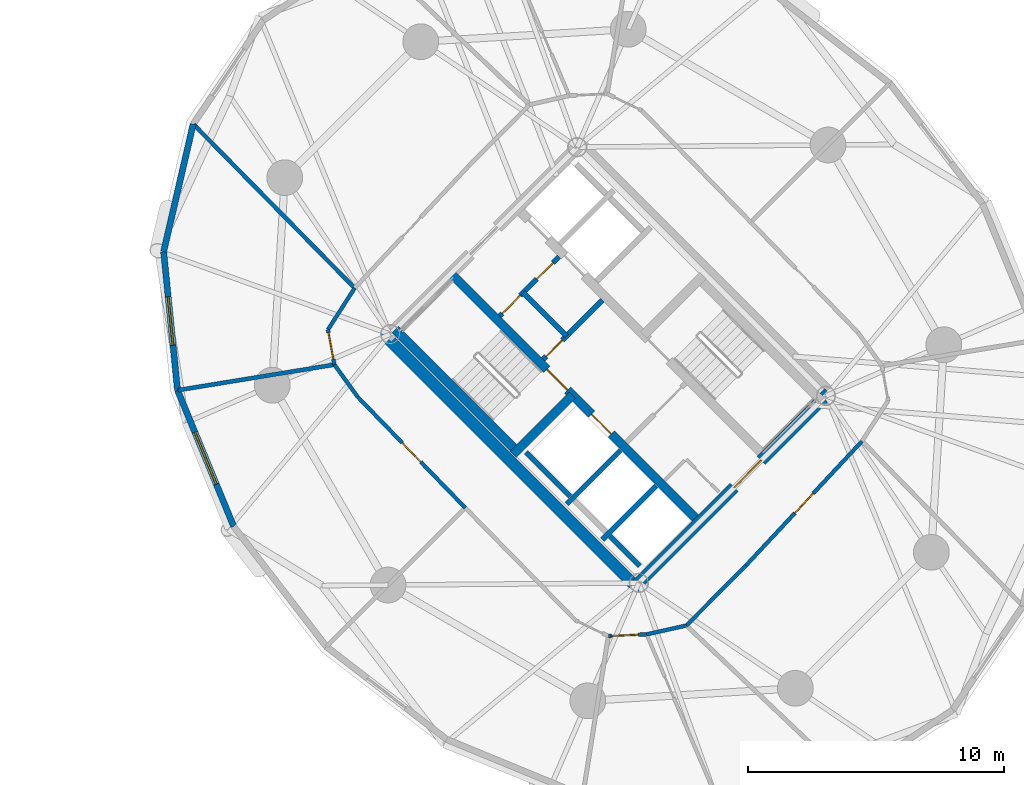
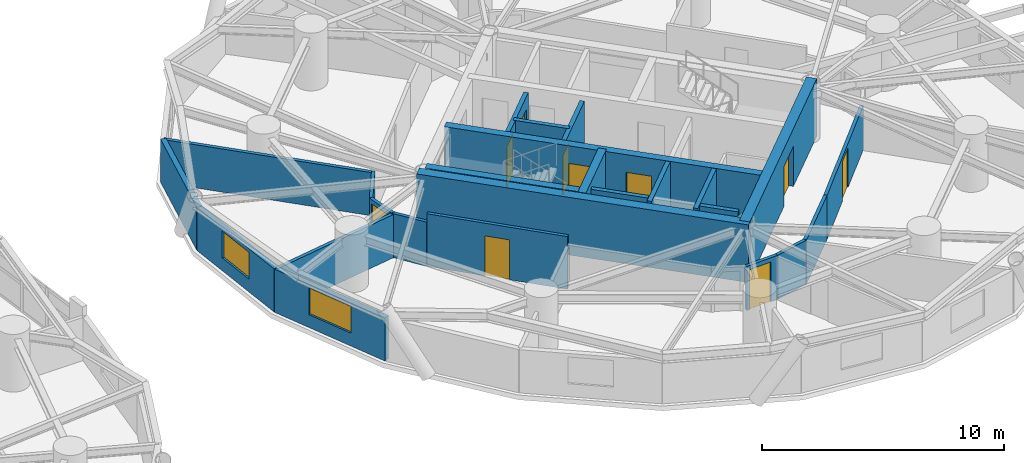
# One storey, part 12 of 17: 25 walls, 10 doors, 2 windows, 12 openings.
"""IFC4 building model written with IfcOpenShell, lengths in metres."""

import ifcopenshell
import ifcopenshell.guid

model = None  # the IFC model being written
_history = None  # IfcOwnerHistory: only IFC2X3 demands one
_inside = {}  # id of a spatial element -> (the spatial element, [elements in it])
_under = {}  # id of a project, library or spatial element -> (it, [spatial elements below it])
_declared = {}  # id of a project -> (the project, [libraries it declares])
_typed = {}  # id of a type object -> (the type object, [elements of that type])
_made_of = {}  # id of a material, layer set ... -> (it, [elements and type objects made of it])


def new_model(schema):
    """Start an empty IFC model of exactly this schema.

    Asked for "IFC4X3", IfcOpenShell would pick the latest addendum, in which some entities
    have other attributes; the version numbers below select the first issue.
    IFC2X3 requires an IfcOwnerHistory on every rooted entity: one is made here for all.
    """
    global model, _history
    if schema == "IFC4X3":
        model = ifcopenshell.file(schema_version=(4, 3, 0, 0))
    else:
        model = ifcopenshell.file(schema=schema)
    _inside.clear()
    _under.clear()
    _declared.clear()
    _typed.clear()
    _made_of.clear()
    _history = None
    if model.schema == "IFC2X3":
        org = make("IfcOrganization", Name="unknown")
        user = make(
            "IfcPersonAndOrganization",
            ThePerson=make("IfcPerson", FamilyName="unknown"),
            TheOrganization=org,
        )
        app = make(
            "IfcApplication",
            ApplicationDeveloper=org,
            Version="unknown",
            ApplicationFullName="unknown",
            ApplicationIdentifier="unknown",
        )
        _history = make(
            "IfcOwnerHistory",
            OwningUser=user,
            OwningApplication=app,
            ChangeAction="ADDED",
            CreationDate=0,
        )
    return model


def make(cls, **values):
    """One entity of the class cls with the attributes given. An attribute that is None is left unset."""
    return model.create_entity(
        cls, **{name: value for name, value in values.items() if value is not None}
    )


def rooted(cls, **values):
    """An entity with a GlobalId (a new one), such as an element, a storey or a relation."""
    return make(cls, GlobalId=ifcopenshell.guid.new(), OwnerHistory=_history, **values)


def si_unit(unit_type, name, prefix=None):
    """IfcSIUnit, for example si_unit("LENGTHUNIT", "METRE", prefix="MILLI")."""
    return make("IfcSIUnit", UnitType=unit_type, Prefix=prefix, Name=name)


def assignment(units):
    """IfcUnitAssignment: the units of a project."""
    return None if units is None else make("IfcUnitAssignment", Units=units)


def point(xyz):
    """IfcCartesianPoint."""
    return None if xyz is None else make("IfcCartesianPoint", Coordinates=xyz)


def direction(xyz):
    """IfcDirection."""
    return None if xyz is None else make("IfcDirection", DirectionRatios=xyz)


def frame(location, z_axis=None, x_axis=None):
    """IfcAxis2Placement3D, a coordinate frame: its origin and axes. An axis left out is left unset."""
    return make(
        "IfcAxis2Placement3D",
        Location=point(location),
        Axis=direction(z_axis),
        RefDirection=direction(x_axis),
    )


def frame_2d(location, x_axis=None):
    """IfcAxis2Placement2D, a coordinate frame in the plane: its origin and x axis."""
    return make(
        "IfcAxis2Placement2D", Location=point(location), RefDirection=direction(x_axis)
    )


def origin():
    """The frame at (0, 0, 0) with its axes left unset."""
    return frame((0.0, 0.0, 0.0))


def place(relative_to, where):
    """IfcLocalPlacement: puts the frame where relative to a parent placement (None: the world)."""
    return make(
        "IfcLocalPlacement", PlacementRelTo=relative_to, RelativePlacement=where
    )


def context(
    kind, dimensions, precision=None, world=None, true_north=None, identifier=None
):
    """IfcGeometricRepresentationContext, for example the 3D "Model" context."""
    return make(
        "IfcGeometricRepresentationContext",
        ContextIdentifier=identifier,
        ContextType=kind,
        CoordinateSpaceDimension=dimensions,
        Precision=precision,
        WorldCoordinateSystem=world,
        TrueNorth=true_north,
    )


def subcontext(parent, identifier, kind, view, scale=None):
    """IfcGeometricRepresentationSubContext, for example "Body" below "Model"."""
    return make(
        "IfcGeometricRepresentationSubContext",
        ContextIdentifier=identifier,
        ContextType=kind,
        ParentContext=parent,
        TargetScale=scale,
        TargetView=view,
    )


def project(units=None, contexts=None):
    """IfcProject with its units and contexts."""
    return rooted(
        "IfcProject",
        Name="project",
        RepresentationContexts=contexts,
        UnitsInContext=assignment(units),
    )


def spatial(cls, under=None, at=None, **own):
    """A site, building, storey or space (cls), placed at a placement, below another one or the project."""
    s = rooted(cls, ObjectPlacement=at, **own)
    if under is not None:
        _under.setdefault(under.id(), (under, []))[1].append(s)
    return s


def profile(cls, at=None, kind="AREA", **sizes):
    """A parametric profile (cls). Its sizes go by their IFC names, for example OverallWidth=200.0."""
    return make(cls, ProfileType=kind, Position=at, **sizes)


def rectangle(**sizes):
    """IfcRectangleProfileDef."""
    return profile("IfcRectangleProfileDef", **sizes)


def extrude(swept, where, along, depth):
    """IfcExtrudedAreaSolid: the profile swept, set in the frame where, extruded along a direction by depth."""
    return make(
        "IfcExtrudedAreaSolid",
        SweptArea=swept,
        Position=where,
        ExtrudedDirection=direction(along),
        Depth=depth,
    )


def shape(context_of_items, identifier, shape_type, items):
    """IfcShapeRepresentation: the items that make up one representation, for example the "Body"."""
    return make(
        "IfcShapeRepresentation",
        ContextOfItems=context_of_items,
        RepresentationIdentifier=identifier,
        RepresentationType=shape_type,
        Items=items,
    )


def source(mapping_origin, context_of_items, identifier, shape_type, items):
    """IfcRepresentationMap: a shape defined once, which mapped items show again and again."""
    return make(
        "IfcRepresentationMap",
        MappingOrigin=mapping_origin,
        MappedRepresentation=shape(context_of_items, identifier, shape_type, items),
    )


def transform(
    local_origin,
    x_axis=None,
    y_axis=None,
    z_axis=None,
    scale=None,
    scale2=None,
    scale3=None,
    uniform=True,
):
    """IfcCartesianTransformationOperator3D, or its non-uniform kind. x_axis, y_axis, z_axis: its Axis1, 2, 3."""
    if uniform:
        return make(
            "IfcCartesianTransformationOperator3D",
            Axis1=direction(x_axis),
            Axis2=direction(y_axis),
            LocalOrigin=point(local_origin),
            Scale=scale,
            Axis3=direction(z_axis),
        )
    return make(
        "IfcCartesianTransformationOperator3DnonUniform",
        Axis1=direction(x_axis),
        Axis2=direction(y_axis),
        LocalOrigin=point(local_origin),
        Scale=scale,
        Axis3=direction(z_axis),
        Scale2=scale2,
        Scale3=scale3,
    )


def mapped(mapping_source, mapping_target):
    """IfcMappedItem: shows the shape of a source again, moved by a transform."""
    return make(
        "IfcMappedItem", MappingSource=mapping_source, MappingTarget=mapping_target
    )


def material(Name=None, Category=None):
    """IfcMaterial."""
    return make("IfcMaterial", Name=Name, Category=Category)


def layer(
    of_material, thickness, ventilated=None, Name=None, Category=None, Priority=None
):
    """IfcMaterialLayer: one layer of a wall or slab, of a material (None: an air gap)."""
    return make(
        "IfcMaterialLayer",
        Material=of_material,
        LayerThickness=thickness,
        IsVentilated=ventilated,
        Name=Name,
        Category=Category,
        Priority=Priority,
    )


def layer_set(layers, Name=None):
    """IfcMaterialLayerSet."""
    return make("IfcMaterialLayerSet", MaterialLayers=layers, LayerSetName=Name)


def made_of(thing, what):
    """Note that an element or type object is made of a material, layer set ...; save() writes the relation."""
    if what is not None:
        _made_of.setdefault(what.id(), (what, []))[1].append(thing)
    return thing


def type_object(cls, material=None, **own):
    """A type object (cls), such as IfcWallType, which elements share."""
    return made_of(rooted(cls, **own), material)


def element(
    cls,
    number,
    at=None,
    inside=None,
    cuts=None,
    type_object=None,
    material=None,
    context=None,
    identifier="Body",
    shape_type=None,
    held_by="IfcProductDefinitionShape",
    body=None,
    shapes=None,
    **own,
):
    """One element of the class cls, such as IfcWall. Its Tag is "e" and its number.

    at: its placement. inside: the storey or other place that contains it. cuts: it is an
    opening in that element (IfcRelVoidsElement). A single representation is given by context,
    identifier, shape_type and body (its items); several are given by shapes. held_by: the class
    of the entity that holds the representations. save() writes the other relations.
    """
    e = rooted(cls, Tag="e%d" % number, ObjectPlacement=at, **own)
    if body is not None:
        shapes = [shape(context, identifier, shape_type, body)]
    if shapes is not None:
        e.Representation = make(held_by, Representations=shapes)
    if inside is not None:
        _inside.setdefault(inside.id(), (inside, []))[1].append(e)
    if cuts is not None:
        rooted(
            "IfcRelVoidsElement", RelatingBuildingElement=cuts, RelatedOpeningElement=e
        )
    if type_object is not None:
        _typed.setdefault(type_object.id(), (type_object, []))[1].append(e)
    return made_of(e, material)


def fill(opening, filler):
    """IfcRelFillsElement: the door or window that sits in an opening."""
    return rooted(
        "IfcRelFillsElement",
        RelatingOpeningElement=opening,
        RelatedBuildingElement=filler,
    )


def aggregate(whole, parts):
    """IfcRelAggregates: a whole, such as a stair, and the parts it consists of."""
    return rooted("IfcRelAggregates", RelatingObject=whole, RelatedObjects=parts)


def save(model, path):
    """Write the relations noted so far, then the file.

    IfcRelAggregates (storeys below a building ...), IfcRelContainedInSpatialStructure (elements
    in a storey), IfcRelDefinesByType, IfcRelAssociatesMaterial and IfcRelDeclares: one each for
    every whole, place, type object, material and project.
    """
    for whole, parts in _under.values():
        aggregate(whole, parts)
    for where, things in _inside.values():
        rooted(
            "IfcRelContainedInSpatialStructure",
            RelatedElements=things,
            RelatingStructure=where,
        )
    for kind, things in _typed.values():
        rooted("IfcRelDefinesByType", RelatedObjects=things, RelatingType=kind)
    for what, things in _made_of.values():
        rooted("IfcRelAssociatesMaterial", RelatedObjects=things, RelatingMaterial=what)
    for by, libraries in _declared.values():
        rooted("IfcRelDeclares", RelatingContext=by, RelatedDefinitions=libraries)
    model.write(path)


model = new_model("IFC4")

# Units and contexts
model_context = context("Model", 3, precision=1e-05, world=origin(), true_north=direction((0.0, 1.0)))
body_context = subcontext(model_context, "Body", "Model", "MODEL_VIEW")
ifc_project = project(units=[si_unit("LENGTHUNIT", "METRE"), si_unit("AREAUNIT", "SQUARE_METRE"), si_unit("VOLUMEUNIT", "CUBIC_METRE"), si_unit("PLANEANGLEUNIT", "RADIAN"), si_unit("MASSUNIT", "GRAM", prefix="KILO")], contexts=[model_context])

# Site, building, storey
site_placement = place(None, origin())
site = spatial("IfcSite", under=ifc_project, at=site_placement, CompositionType="ELEMENT")
building_placement = place(site_placement, origin())
building = spatial("IfcBuilding", under=site, at=building_placement, Name="Cununo Teusaquillo Station Towers", CompositionType="ELEMENT")
storey_placement = place(building_placement, frame((0.0, 0.0, 81.7900390625)))
storey = spatial("IfcBuildingStorey", under=building, at=storey_placement, Name="L25", CompositionType="ELEMENT", Elevation=81.7900390625)

# Walls
ifc_material_1 = material(Name="Concrete C50/60", Category="concrete")
ifc_layer_1 = layer(ifc_material_1, 0.199951171875)
ifc_layer_set_1 = layer_set([ifc_layer_1], Name="Concrete C50/60")
wall_type_1 = type_object("IfcWallType", Name="WL-CORE-200", PredefinedType="SHEAR", material=ifc_layer_set_1)
wall_1_placement = place(storey_placement, frame((55.8876953125, 19.0693359375, 0.0), z_axis=(0.0, 0.0, 1.0), x_axis=(0.707106781187, 0.707106781187, 0.0)))
element("IfcWall", 1, at=wall_1_placement, inside=storey, type_object=wall_type_1, Name="L25 Tower B Firefighting Lift Shaft South Shear Wall", PredefinedType="SHEAR", context=body_context, shape_type="SweptSolid", body=[
    extrude(rectangle(XDim=2.969970703125, YDim=0.199951171875, at=frame_2d((1.48486328125, 0.0))), origin(), (0.0, 0.0, 1.0), 2.909912109375),
])
wall_2_placement = place(storey_placement, frame((56.01513671875, 19.366455078125, 0.0), z_axis=(0.0, 0.0, 1.0), x_axis=(-0.707106781187, 0.707106781187, 0.0)))
element("IfcWall", 2, at=wall_2_placement, inside=storey, type_object=wall_type_1, Name="L25 Tower B Firefighting Lift Shaft Rear Shear Wall", PredefinedType="SHEAR", context=body_context, shape_type="SweptSolid", body=[
    extrude(rectangle(XDim=2.43994140625, YDim=0.199951171875, at=frame_2d((1.219970703125, 0.0))), origin(), (0.0, 0.0, 1.0), 2.909912109375),
])
wall_3_placement = place(storey_placement, frame((57.2841796875, 17.6728515625, 0.0), z_axis=(0.0, 0.0, 1.0), x_axis=(0.707147878904, 0.70706568108, 0.0)))
element("IfcWall", 3, at=wall_3_placement, inside=storey, type_object=wall_type_1, Name="L25 Tower B High-Rise Lift Hoistway Divider Shear Wall", PredefinedType="SHEAR", context=body_context, shape_type="SweptSolid", body=[
    extrude(rectangle(XDim=2.97021484375, YDim=0.199951171875, at=frame_2d((1.485107421875, 0.0))), origin(), (0.0, 0.0, 1.0), 2.909912109375),
])
wall_4_placement = place(storey_placement, frame((58.7373046875, 16.64404296875, 0.0), z_axis=(0.0, 0.0, 1.0), x_axis=(-0.707032117043, 0.707181437447, 0.0)))
element("IfcWall", 4, at=wall_4_placement, inside=storey, type_object=wall_type_1, Name="L25 Tower B High-Rise Lift 1 Shaft Rear Shear Wall", PredefinedType="SHEAR", context=body_context, shape_type="SweptSolid", body=[
    extrude(rectangle(XDim=1.635009765625, YDim=0.199951171875, at=frame_2d((0.8173828125, 0.0))), origin(), (0.0, 0.0, 1.0), 2.909912109375),
])

# Wall, openings, doors
ifc_material_2 = material(Name="Concrete C50/60", Category="concrete")
ifc_layer_2 = layer(ifc_material_2, 0.35009765625)
ifc_layer_set_2 = layer_set([ifc_layer_2], Name="Concrete C50/60")
wall_type_2 = type_object("IfcWallType", Name="WL-CORE-350", PredefinedType="SHEAR", material=ifc_layer_set_2)
wall_5_placement = place(storey_placement, frame((61.077880859375, 18.355224609375, 0.0), z_axis=(0.0, 0.0, 1.0), x_axis=(-0.707106781187, 0.707106781187, 0.0)))
wall_5 = element("IfcWall", 5, at=wall_5_placement, inside=storey, type_object=wall_type_2, Name="L25 Tower B Core Shear Wall IW", PredefinedType="SHEAR", context=body_context, shape_type="SweptSolid", body=[
    extrude(rectangle(XDim=13.75, YDim=0.35009765625, at=frame_2d((6.875, 0.0))), origin(), (0.0, 0.0, 1.0), 2.909912109375),
])
shared_shape_1 = source(origin(), body_context, "Body", "SweptSolid", [
    extrude(rectangle(XDim=1.10009765625, YDim=2.014892578125, at=frame_2d((0.550048828125, 1.00732421875))), frame((0.0, 0.18505859375, 0.0), z_axis=(0.0, -1.0, 0.0), x_axis=(1.0, 0.0, 0.0)), (0.0, 0.0, 1.0), 0.3701171875),
])
opening_1_placement = place(wall_5_placement, frame((4.875, 0.0, 0.0)))
opening_1 = element("IfcOpeningElement", 6, at=opening_1_placement, cuts=wall_5, Name="Opening LD-01", PredefinedType="OPENING", context=body_context, shape_type="MappedRepresentation", body=[
    mapped(shared_shape_1, transform((0.0, 0.0, 0.0), x_axis=(1.0, 0.0, 0.0), y_axis=(0.0, 1.0, 0.0), z_axis=(0.0, 0.0, 1.0), scale=1.0)),
])
shared_shape_2 = source(origin(), body_context, "Body", "SweptSolid", [
    extrude(rectangle(XDim=1.14990234375, YDim=2.02001953125, at=frame_2d((0.574951171875, 1.010009765625))), frame((0.0, 0.18505859375, 0.0), z_axis=(0.0, -1.0, 0.0), x_axis=(1.0, 0.0, 0.0)), (0.0, 0.0, 1.0), 0.3701171875),
])
opening_2_placement = place(wall_5_placement, frame((7.294921875, 0.0, 0.0)))
opening_2 = element("IfcOpeningElement", 7, at=opening_2_placement, cuts=wall_5, Name="Opening D-ST1", PredefinedType="OPENING", context=body_context, shape_type="MappedRepresentation", body=[
    mapped(shared_shape_2, transform((0.0, 0.0, 0.0), x_axis=(1.0, 0.0, 0.0), y_axis=(0.0, 1.0, 0.0), z_axis=(0.0, 0.0, 1.0), scale=1.0)),
])
ifc_material_3 = material(Name="Galvanised fire-rated hollow steel door assembly", Category="steel")
door_type_1 = type_object("IfcDoorType", Name="DR-LIFT-1100", OperationType="SLIDING_TO_LEFT", PredefinedType="DOOR", material=ifc_material_3)
shared_shape_3 = source(origin(), body_context, "Body", "SweptSolid", [
    extrude(rectangle(XDim=1.10009765625, YDim=2.014892578125, at=frame_2d((0.550048828125, 1.00732421875))), frame((0.0, 0.02490234375, 0.0), z_axis=(0.0, -1.0, 0.0), x_axis=(1.0, 0.0, 0.0)), (0.0, 0.0, 1.0), 0.050048828125),
])
door_1_placement = place(opening_1_placement, origin())
door_1 = element("IfcDoor", 8, at=door_1_placement, inside=storey, type_object=door_type_1, Name="L25 Lift FL-T2 Sliding Landing Door", OperationType="SLIDING_TO_LEFT", OverallHeight=2.014892578125, OverallWidth=1.10009765625, PredefinedType="DOOR", context=body_context, shape_type="MappedRepresentation", body=[
    mapped(shared_shape_3, transform((0.0, 0.0, 0.0), x_axis=(1.0, 0.0, 0.0), y_axis=(0.0, 1.0, 0.0), z_axis=(0.0, 0.0, 1.0), scale=1.0)),
])
fill(opening_1, door_1)
ifc_material_4 = material(Name="Galvanised fire-rated hollow steel door assembly", Category="steel")
door_type_2 = type_object("IfcDoorType", Name="DR-STAIR-1150", OperationType="NOTDEFINED", PredefinedType="DOOR", material=ifc_material_4)
shared_shape_4 = source(origin(), body_context, "Body", "SweptSolid", [
    extrude(rectangle(XDim=1.14990234375, YDim=2.02001953125, at=frame_2d((0.574951171875, 1.010009765625))), frame((0.0, 0.02490234375, 0.0), z_axis=(0.0, -1.0, 0.0), x_axis=(1.0, 0.0, 0.0)), (0.0, 0.0, 1.0), 0.050048828125),
])
door_2_placement = place(opening_2_placement, origin())
door_2 = element("IfcDoor", 9, at=door_2_placement, inside=storey, type_object=door_type_2, Name="L25 Tower B Exit Stair 1 Fire Door", OperationType="SINGLE_SWING_LEFT", OverallHeight=2.02001953125, OverallWidth=1.14990234375, PredefinedType="DOOR", context=body_context, shape_type="MappedRepresentation", body=[
    mapped(shared_shape_4, transform((0.0, 0.0, 0.0), x_axis=(1.0, 0.0, 0.0), y_axis=(0.0, 1.0, 0.0), z_axis=(0.0, 0.0, 1.0), scale=1.0)),
])
fill(opening_2, door_2)

# Walls
wall_6_placement = place(storey_placement, frame((53.922119140625, 21.14111328125, 0.0), z_axis=(0.0, 0.0, 1.0), x_axis=(-0.707088616009, 0.707124945897, 0.0)))
element("IfcWall", 10, at=wall_6_placement, inside=storey, type_object=wall_type_2, Name="L25 Tower B Core Shear Wall ST1W", PredefinedType="SHEAR", context=body_context, shape_type="SweptSolid", body=[
    extrude(rectangle(XDim=6.72021484375, YDim=0.35009765625, at=frame_2d((3.360107421875, 0.0))), origin(), (0.0, 0.0, 1.0), 2.909912109375),
])
wall_7_placement = place(storey_placement, frame((53.7841796875, 21.00341796875, 0.0), z_axis=(0.0, 0.0, 1.0), x_axis=(0.707106781187, 0.707106781187, 0.0)))
element("IfcWall", 11, at=wall_7_placement, inside=storey, type_object=wall_type_2, Name="L25 Tower B Core Shear Wall ST1S", PredefinedType="SHEAR", context=body_context, shape_type="SweptSolid", body=[
    extrude(rectangle(XDim=3.284912109375, YDim=0.35009765625, at=frame_2d((1.642578125, 0.0))), origin(), (0.0, 0.0, 1.0), 2.909912109375),
])
ifc_material_5 = material(Name="Concrete C60/75", Category="concrete")
ifc_layer_3 = layer(ifc_material_5, 0.449951171875)
ifc_layer_set_3 = layer_set([ifc_layer_3], Name="Concrete C60/75")
wall_type_3 = type_object("IfcWallType", Name="WL-CORE-450", PredefinedType="SHEAR", material=ifc_layer_set_3)
wall_8_placement = place(storey_placement, frame((58.7373046875, 15.696533203125, 0.0), z_axis=(0.0, 0.0, 1.0), x_axis=(-0.707106781187, 0.707106781187, 0.0)))
element("IfcWall", 12, at=wall_8_placement, inside=storey, type_object=wall_type_3, Name="L25 Tower B Core Shear Wall W", PredefinedType="SHEAR", context=body_context, shape_type="SweptSolid", body=[
    extrude(rectangle(XDim=14.19970703125, YDim=0.449951171875, at=frame_2d((7.099853515625, 0.0))), origin(), (0.0, 0.0, 1.0), 2.909912109375),
])

# Wall, opening, door
wall_9_placement = place(storey_placement, frame((58.578369140625, 15.855712890625, 0.0), z_axis=(0.0, 0.0, 1.0), x_axis=(0.707106781187, 0.707106781187, 0.0)))
wall_9 = element("IfcWall", 13, at=wall_9_placement, inside=storey, type_object=wall_type_3, Name="L25 Tower B Core Shear Wall S", PredefinedType="SHEAR", context=body_context, shape_type="SweptSolid", body=[
    extrude(rectangle(XDim=10.69970703125, YDim=0.449951171875, at=frame_2d((5.349853515625, 0.0))), origin(), (0.0, 0.0, 1.0), 2.909912109375),
])
shared_shape_5 = source(origin(), body_context, "Body", "SweptSolid", [
    extrude(rectangle(XDim=1.5, YDim=2.02001953125, at=frame_2d((0.75, 1.010009765625))), frame((0.0, 0.23486328125, 0.0), z_axis=(0.0, -1.0, 0.0), x_axis=(1.0, 0.0, 0.0)), (0.0, 0.0, 1.0), 0.469970703125),
])
opening_3_placement = place(wall_9_placement, frame((5.449951171875, 0.0, 0.0)))
opening_3 = element("IfcOpeningElement", 14, at=opening_3_placement, cuts=wall_9, Name="Opening D-LB1", PredefinedType="OPENING", context=body_context, shape_type="MappedRepresentation", body=[
    mapped(shared_shape_5, transform((0.0, 0.0, 0.0), x_axis=(1.0, 0.0, 0.0), y_axis=(0.0, 1.0, 0.0), z_axis=(0.0, 0.0, 1.0), scale=1.0)),
])
ifc_material_6 = material(Name="Galvanised fire-rated hollow steel door assembly", Category="steel")
door_type_3 = type_object("IfcDoorType", Name="DR-LOBBY-1500", OperationType="DOUBLE_DOOR_SINGLE_SWING", PredefinedType="DOOR", material=ifc_material_6)
shared_shape_6 = source(origin(), body_context, "Body", "SweptSolid", [
    extrude(rectangle(XDim=1.5, YDim=2.02001953125, at=frame_2d((0.75, 1.010009765625))), frame((0.0, 0.02490234375, 0.0), z_axis=(0.0, -1.0, 0.0), x_axis=(1.0, 0.0, 0.0)), (0.0, 0.0, 1.0), 0.050048828125),
])
door_3_placement = place(opening_3_placement, origin())
door_3 = element("IfcDoor", 15, at=door_3_placement, inside=storey, type_object=door_type_3, Name="L25 Tower B South Core Lift Lobby Door", OperationType="DOUBLE_DOOR_SINGLE_SWING", OverallHeight=2.02001953125, OverallWidth=1.5, PredefinedType="DOOR", context=body_context, shape_type="MappedRepresentation", body=[
    mapped(shared_shape_6, transform((0.0, 0.0, 0.0), x_axis=(1.0, 0.0, 0.0), y_axis=(0.0, 1.0, 0.0), z_axis=(0.0, 0.0, 1.0), scale=1.0)),
])
fill(opening_3, door_3)

# Wall
ifc_material_7 = material(Name="Precast concrete C40/50", Category="concrete")
ifc_layer_4 = layer(ifc_material_7, 0.239990234375)
ifc_layer_set_4 = layer_set([ifc_layer_4], Name="Precast concrete C40/50")
wall_type_4 = type_object("IfcWallType", Name="WL-EXT-240", PredefinedType="SOLIDWALL", material=ifc_layer_set_4)
wall_10_placement = place(storey_placement, frame((40.114990234375, 28.933349609375, 0.0), z_axis=(0.0, 0.0, 1.0), x_axis=(0.225834725257, 0.974165631126, 0.0)))
element("IfcWall", 16, at=wall_10_placement, inside=storey, type_object=wall_type_4, Name="L25 Tower B Exterior Facade Wall C06", PredefinedType="SOLIDWALL", context=body_context, shape_type="SweptSolid", body=[
    extrude(rectangle(XDim=5.118896484375, YDim=0.239990234375, at=frame_2d((2.5595703125, 0.0))), origin(), (0.0, 0.0, 1.0), 2.178955078125),
])

# Wall, opening, window
wall_11_placement = place(storey_placement, frame((40.66064453125, 23.5126953125, 0.0), z_axis=(0.0, 0.0, 1.0), x_axis=(-0.10015591906, 0.994971754311, 0.0)))
wall_11 = element("IfcWall", 17, at=wall_11_placement, inside=storey, type_object=wall_type_4, Name="L25 Tower B Exterior Facade Wall C07", PredefinedType="SOLIDWALL", context=body_context, shape_type="SweptSolid", body=[
    extrude(rectangle(XDim=5.447998046875, YDim=0.239990234375, at=frame_2d((2.72412109375, 0.0))), origin(), (0.0, 0.0, 1.0), 2.178955078125),
])
shared_shape_7 = source(origin(), body_context, "Body", "SweptSolid", [
    extrude(rectangle(XDim=1.89990234375, YDim=1.35009765625, at=frame_2d((0.949951171875, 0.675048828125))), frame((0.0, 0.1298828125, 0.0), z_axis=(0.0, -1.0, 0.0), x_axis=(1.0, 0.0, 0.0)), (0.0, 0.0, 1.0), 0.260009765625),
])
opening_4_placement = place(wall_11_placement, frame((1.77392578125, 0.0, 0.64990234375)))
opening_4 = element("IfcOpeningElement", 18, at=opening_4_placement, cuts=wall_11, Name="Opening WN-02", PredefinedType="OPENING", context=body_context, shape_type="MappedRepresentation", body=[
    mapped(shared_shape_7, transform((0.0, 0.0, 0.0), x_axis=(1.0, 0.0, 0.0), y_axis=(0.0, 1.0, 0.0), z_axis=(0.0, 0.0, 1.0), scale=1.0)),
])
ifc_material_8 = material(Name="Operable acoustic tinted low-E double glazing", Category="glass")
window_type_1 = type_object("IfcWindowType", Name="WIN-OPER-1900", PartitioningType="DOUBLE_PANEL_VERTICAL", PredefinedType="WINDOW", material=ifc_material_8)
shared_shape_8 = source(origin(), body_context, "Body", "SweptSolid", [
    extrude(rectangle(XDim=1.89990234375, YDim=1.35009765625, at=frame_2d((0.949951171875, 0.675048828125))), frame((0.0, 0.030029296875, 0.0), z_axis=(0.0, -1.0, 0.0), x_axis=(1.0, 0.0, 0.0)), (0.0, 0.0, 1.0), 0.06005859375),
])
window_1_placement = place(opening_4_placement, origin())
window_1 = element("IfcWindow", 19, at=window_1_placement, inside=storey, type_object=window_type_1, Name="L25 Tower B Facade Window C07", OverallHeight=1.35009765625, OverallWidth=1.89990234375, PartitioningType="DOUBLE_PANEL_VERTICAL", PredefinedType="WINDOW", context=body_context, shape_type="MappedRepresentation", body=[
    mapped(shared_shape_8, transform((0.0, 0.0, 0.0), x_axis=(1.0, 0.0, 0.0), y_axis=(0.0, 1.0, 0.0), z_axis=(0.0, 0.0, 1.0), scale=1.0)),
])
fill(opening_4, window_1)

wall_12_placement = place(storey_placement, frame((42.854736328125, 18.188720703125, 0.0), z_axis=(0.0, 0.0, 1.0), x_axis=(-0.381027003055, 0.924563909604, 0.0)))
wall_12 = element("IfcWall", 20, at=wall_12_placement, inside=storey, type_object=wall_type_4, Name="L25 Tower B Exterior Facade Wall C08", PredefinedType="SOLIDWALL", context=body_context, shape_type="SweptSolid", body=[
    extrude(rectangle(XDim=5.75830078125, YDim=0.239990234375, at=frame_2d((2.879150390625, 0.0))), origin(), (0.0, 0.0, 1.0), 2.178955078125),
])
shared_shape_9 = source(origin(), body_context, "Body", "SweptSolid", [
    extrude(rectangle(XDim=2.199951171875, YDim=1.35009765625, at=frame_2d((1.10009765625, 0.675048828125))), frame((0.0, 0.1298828125, 0.0), z_axis=(0.0, -1.0, 0.0), x_axis=(1.0, 0.0, 0.0)), (0.0, 0.0, 1.0), 0.260009765625),
])
opening_5_placement = place(wall_12_placement, frame((1.779052734375, 0.0, 0.64990234375)))
opening_5 = element("IfcOpeningElement", 21, at=opening_5_placement, cuts=wall_12, Name="Opening WN-01", PredefinedType="OPENING", context=body_context, shape_type="MappedRepresentation", body=[
    mapped(shared_shape_9, transform((0.0, 0.0, 0.0), x_axis=(1.0, 0.0, 0.0), y_axis=(0.0, 1.0, 0.0), z_axis=(0.0, 0.0, 1.0), scale=1.0)),
])
ifc_material_9 = material(Name="Ceramic-fritted dark low-E double glazing", Category="glass")
window_type_2 = type_object("IfcWindowType", Name="WIN-FRIT-2200", PartitioningType="DOUBLE_PANEL_VERTICAL", PredefinedType="WINDOW", material=ifc_material_9)
shared_shape_10 = source(origin(), body_context, "Body", "SweptSolid", [
    extrude(rectangle(XDim=2.199951171875, YDim=1.35009765625, at=frame_2d((1.10009765625, 0.675048828125))), frame((0.0, 0.030029296875, 0.0), z_axis=(0.0, -1.0, 0.0), x_axis=(1.0, 0.0, 0.0)), (0.0, 0.0, 1.0), 0.06005859375),
])
window_2_placement = place(opening_5_placement, origin())
window_2 = element("IfcWindow", 22, at=window_2_placement, inside=storey, type_object=window_type_2, Name="L25 Tower B Facade Window C08", OverallHeight=1.35009765625, OverallWidth=2.199951171875, PartitioningType="DOUBLE_PANEL_VERTICAL", PredefinedType="WINDOW", context=body_context, shape_type="MappedRepresentation", body=[
    mapped(shared_shape_10, transform((0.0, 0.0, 0.0), x_axis=(1.0, 0.0, 0.0), y_axis=(0.0, 1.0, 0.0), z_axis=(0.0, 0.0, 1.0), scale=1.0)),
])
fill(opening_5, window_2)

# Wall
ifc_material_10 = material(Name="Fire-rated gypsum plasterboard partition assembly", Category="gypsum")
ifc_layer_5 = layer(ifc_material_10, 0.14990234375)
ifc_layer_set_5 = layer_set([ifc_layer_5], Name="Fire-rated gypsum plasterboard partition assembly")
wall_type_5 = type_object("IfcWallType", Name="WL-PART-150", PredefinedType="PARTITIONING", material=ifc_layer_set_5)
wall_13_placement = place(storey_placement, frame((47.58837890625, 27.51025390625, 0.0), z_axis=(0.0, 0.0, 1.0), x_axis=(-0.540202619347, -0.841534984449, 0.0)))
element("IfcWall", 23, at=wall_13_placement, inside=storey, type_object=wall_type_5, Name="L25 Tower B Corridor Ring Wall C06", PredefinedType="PARTITIONING", context=body_context, shape_type="SweptSolid", body=[
    extrude(rectangle(XDim=1.934814453125, YDim=0.14990234375, at=frame_2d((0.96728515625, 0.0))), origin(), (0.0, 0.0, 1.0), 2.224853515625),
])

# Wall, opening, door
wall_14_placement = place(storey_placement, frame((46.543212890625, 25.882080078125, 0.0), z_axis=(0.0, 0.0, 1.0), x_axis=(0.181153502579, -0.983454832976, 0.0)))
wall_14 = element("IfcWall", 24, at=wall_14_placement, inside=storey, type_object=wall_type_5, Name="L25 Tower B Corridor Ring Wall C07", PredefinedType="PARTITIONING", context=body_context, shape_type="SweptSolid", body=[
    extrude(rectangle(XDim=1.39208984375, YDim=0.14990234375, at=frame_2d((0.696044921875, 0.0))), origin(), (0.0, 0.0, 1.0), 2.224853515625),
])
shared_shape_11 = source(origin(), body_context, "Body", "SweptSolid", [
    extrude(rectangle(XDim=1.050048828125, YDim=2.014892578125, at=frame_2d((0.52490234375, 1.00732421875))), frame((0.0, 0.0849609375, 0.0), z_axis=(0.0, -1.0, 0.0), x_axis=(1.0, 0.0, 0.0)), (0.0, 0.0, 1.0), 0.169921875),
])
opening_6_placement = place(wall_14_placement, frame((0.1201171875, 0.0, 0.0)))
opening_6 = element("IfcOpeningElement", 25, at=opening_6_placement, cuts=wall_14, Name="Opening D-SU1", PredefinedType="OPENING", context=body_context, shape_type="MappedRepresentation", body=[
    mapped(shared_shape_11, transform((0.0, 0.0, 0.0), x_axis=(1.0, 0.0, 0.0), y_axis=(0.0, 1.0, 0.0), z_axis=(0.0, 0.0, 1.0), scale=1.0)),
])
ifc_material_11 = material(Name="Acoustic solid-core hardwood leaf assembly", Category="wood")
door_type_4 = type_object("IfcDoorType", Name="DR-SUITE-1050", OperationType="NOTDEFINED", PredefinedType="DOOR", material=ifc_material_11)
shared_shape_12 = source(origin(), body_context, "Body", "SweptSolid", [
    extrude(rectangle(XDim=1.050048828125, YDim=2.014892578125, at=frame_2d((0.52490234375, 1.00732421875))), frame((0.0, 0.02490234375, 0.0), z_axis=(0.0, -1.0, 0.0), x_axis=(1.0, 0.0, 0.0)), (0.0, 0.0, 1.0), 0.050048828125),
])
door_4_placement = place(opening_6_placement, origin())
door_4 = element("IfcDoor", 26, at=door_4_placement, inside=storey, type_object=door_type_4, Name="L25 Tower B Legal Research Library Entrance Door", OperationType="SINGLE_SWING_RIGHT", OverallHeight=2.014892578125, OverallWidth=1.050048828125, PredefinedType="DOOR", context=body_context, shape_type="MappedRepresentation", body=[
    mapped(shared_shape_12, transform((0.0, 0.0, 0.0), x_axis=(1.0, 0.0, 0.0), y_axis=(0.0, 1.0, 0.0), z_axis=(0.0, 0.0, 1.0), scale=1.0)),
])
fill(opening_6, door_4)

# Wall
wall_15_placement = place(storey_placement, frame((46.79541015625, 24.512939453125, 0.0), z_axis=(0.0, 0.0, 1.0), x_axis=(0.585628197524, -0.810579801294, 0.0)))
element("IfcWall", 27, at=wall_15_placement, inside=storey, type_object=wall_type_5, Name="L25 Tower B Corridor Ring Wall C08", PredefinedType="PARTITIONING", context=body_context, shape_type="SweptSolid", body=[
    extrude(rectangle(XDim=1.55419921875, YDim=0.14990234375, at=frame_2d((0.777099609375, 0.0))), origin(), (0.0, 0.0, 1.0), 2.224853515625),
])

# Wall, opening, door
wall_16_placement = place(storey_placement, frame((47.70556640625, 23.253173828125, 0.0), z_axis=(0.0, 0.0, 1.0), x_axis=(0.696179266346, -0.717867974707, 0.0)))
wall_16 = element("IfcWall", 28, at=wall_16_placement, inside=storey, type_object=wall_type_5, Name="L25 Tower B Corridor Ring Wall C09", PredefinedType="PARTITIONING", context=body_context, shape_type="SweptSolid", body=[
    extrude(rectangle(XDim=6.044677734375, YDim=0.14990234375, at=frame_2d((3.0224609375, 0.0))), origin(), (0.0, 0.0, 1.0), 2.655029296875),
])
opening_7_placement = place(wall_16_placement, frame((2.497314453125, 0.0, 0.0)))
opening_7 = element("IfcOpeningElement", 29, at=opening_7_placement, cuts=wall_16, Name="Opening D-SU1", PredefinedType="OPENING", context=body_context, shape_type="MappedRepresentation", body=[
    mapped(shared_shape_11, transform((0.0, 0.0, 0.0), x_axis=(1.0, 0.0, 0.0), y_axis=(0.0, 1.0, 0.0), z_axis=(0.0, 0.0, 1.0), scale=1.0)),
])
door_5_placement = place(opening_7_placement, origin())
door_5 = element("IfcDoor", 30, at=door_5_placement, inside=storey, type_object=door_type_4, Name="L25 Tower B Paralegal Casework Office Entrance Door", OperationType="SINGLE_SWING_LEFT", OverallHeight=2.014892578125, OverallWidth=1.050048828125, PredefinedType="DOOR", context=body_context, shape_type="MappedRepresentation", body=[
    mapped(shared_shape_12, transform((0.0, 0.0, 0.0), x_axis=(1.0, 0.0, 0.0), y_axis=(0.0, 1.0, 0.0), z_axis=(0.0, 0.0, 1.0), scale=1.0)),
])
fill(opening_7, door_5)

wall_17_placement = place(storey_placement, frame((57.51123046875, 13.896728515625, 0.0), z_axis=(0.0, 0.0, 1.0), x_axis=(0.999024538494, 0.044158481476, 0.0)))
wall_17 = element("IfcWall", 31, at=wall_17_placement, inside=storey, type_object=wall_type_5, Name="L25 Tower B Corridor Ring Wall C12", PredefinedType="PARTITIONING", context=body_context, shape_type="SweptSolid", body=[
    extrude(rectangle(XDim=1.498291015625, YDim=0.14990234375, at=frame_2d((0.7490234375, 0.0))), origin(), (0.0, 0.0, 1.0), 2.224853515625),
])
opening_8_placement = place(wall_17_placement, frame((0.1201171875, 0.0, 0.0)))
opening_8 = element("IfcOpeningElement", 32, at=opening_8_placement, cuts=wall_17, Name="Opening D-SU1", PredefinedType="OPENING", context=body_context, shape_type="MappedRepresentation", body=[
    mapped(shared_shape_11, transform((0.0, 0.0, 0.0), x_axis=(1.0, 0.0, 0.0), y_axis=(0.0, 1.0, 0.0), z_axis=(0.0, 0.0, 1.0), scale=1.0)),
])
door_6_placement = place(opening_8_placement, origin())
door_6 = element("IfcDoor", 33, at=door_6_placement, inside=storey, type_object=door_type_4, Name="L25 Tower B Video Deposition Conference Room Entrance Door", OperationType="SINGLE_SWING_LEFT", OverallHeight=2.014892578125, OverallWidth=1.050048828125, PredefinedType="DOOR", context=body_context, shape_type="MappedRepresentation", body=[
    mapped(shared_shape_12, transform((0.0, 0.0, 0.0), x_axis=(1.0, 0.0, 0.0), y_axis=(0.0, 1.0, 0.0), z_axis=(0.0, 0.0, 1.0), scale=1.0)),
])
fill(opening_8, door_6)

# Walls
wall_18_placement = place(storey_placement, frame((59.008056640625, 13.962890625, 0.0), z_axis=(0.0, 0.0, 1.0), x_axis=(0.976020856791, 0.21767702476, 0.0)))
element("IfcWall", 34, at=wall_18_placement, inside=storey, type_object=wall_type_5, Name="L25 Tower B Corridor Ring Wall C13", PredefinedType="PARTITIONING", context=body_context, shape_type="SweptSolid", body=[
    extrude(rectangle(XDim=1.592529296875, YDim=0.14990234375, at=frame_2d((0.79638671875, 0.0))), origin(), (0.0, 0.0, 1.0), 2.224853515625),
])
wall_19_placement = place(storey_placement, frame((60.5625, 14.3095703125, 0.0), z_axis=(0.0, 0.0, 1.0), x_axis=(0.704566236161, 0.709638230975, 0.0)))
element("IfcWall", 35, at=wall_19_placement, inside=storey, type_object=wall_type_5, Name="L25 Tower B Corridor Ring Wall C14", PredefinedType="PARTITIONING", context=body_context, shape_type="SweptSolid", body=[
    extrude(rectangle(XDim=3.3212890625, YDim=0.14990234375, at=frame_2d((1.66064453125, 0.0))), origin(), (0.0, 0.0, 1.0), 2.224853515625),
])

# Wall, opening, door
wall_20_placement = place(storey_placement, frame((62.902587890625, 16.66650390625, 0.0), z_axis=(0.0, 0.0, 1.0), x_axis=(0.682371947497, 0.731005147225, 0.0)))
wall_20 = element("IfcWall", 36, at=wall_20_placement, inside=storey, type_object=wall_type_5, Name="L25 Tower B Corridor Ring Wall C15", PredefinedType="PARTITIONING", context=body_context, shape_type="SweptSolid", body=[
    extrude(rectangle(XDim=6.6416015625, YDim=0.14990234375, at=frame_2d((3.32080078125, 0.0))), origin(), (0.0, 0.0, 1.0), 2.224853515625),
])
opening_9_placement = place(wall_20_placement, frame((2.7958984375, 0.0, 0.0)))
opening_9 = element("IfcOpeningElement", 37, at=opening_9_placement, cuts=wall_20, Name="Opening D-SU1", PredefinedType="OPENING", context=body_context, shape_type="MappedRepresentation", body=[
    mapped(shared_shape_11, transform((0.0, 0.0, 0.0), x_axis=(1.0, 0.0, 0.0), y_axis=(0.0, 1.0, 0.0), z_axis=(0.0, 0.0, 1.0), scale=1.0)),
])
door_7_placement = place(opening_9_placement, origin())
door_7 = element("IfcDoor", 38, at=door_7_placement, inside=storey, type_object=door_type_4, Name="L25 Tower B Client Hospitality Pantry Entrance Door", OperationType="SINGLE_SWING_LEFT", OverallHeight=2.014892578125, OverallWidth=1.050048828125, PredefinedType="DOOR", context=body_context, shape_type="MappedRepresentation", body=[
    mapped(shared_shape_12, transform((0.0, 0.0, 0.0), x_axis=(1.0, 0.0, 0.0), y_axis=(0.0, 1.0, 0.0), z_axis=(0.0, 0.0, 1.0), scale=1.0)),
])
fill(opening_9, door_7)

# Walls
ifc_material_12 = material(Name="Fire-rated gypsum plasterboard partition assembly", Category="gypsum")
ifc_layer_6 = layer(ifc_material_12, 0.159912109375)
ifc_layer_set_6 = layer_set([ifc_layer_6], Name="Fire-rated gypsum plasterboard partition assembly")
wall_type_6 = type_object("IfcWallType", Name="WL-PART-160", PredefinedType="PARTITIONING", material=ifc_layer_set_6)
wall_21_placement = place(storey_placement, frame((47.58837890625, 27.51025390625, 0.0), z_axis=(0.0, 0.0, 1.0), x_axis=(-0.701457073903, 0.712711704318, 0.0)))
element("IfcWall", 39, at=wall_21_placement, inside=storey, type_object=wall_type_6, Name="L25 Tower B Radial Suite Partition R04", PredefinedType="PARTITIONING", context=body_context, shape_type="SweptSolid", body=[
    extrude(rectangle(XDim=8.980712890625, YDim=0.159912109375, at=frame_2d((4.490234375, 0.0))), origin(), (0.0, 0.0, 1.0), 2.178955078125),
])
wall_22_placement = place(storey_placement, frame((46.79541015625, 24.512939453125, 0.0), z_axis=(0.0, 0.0, 1.0), x_axis=(-0.986966109862, -0.160928238618, 0.0)))
element("IfcWall", 40, at=wall_22_placement, inside=storey, type_object=wall_type_6, Name="L25 Tower B Radial Suite Partition R05", PredefinedType="PARTITIONING", context=body_context, shape_type="SweptSolid", body=[
    extrude(rectangle(XDim=6.19580078125, YDim=0.159912109375, at=frame_2d((3.097900390625, 0.0))), origin(), (0.0, 0.0, 1.0), 2.178955078125),
])

# Wall, opening, door
ifc_material_13 = material(Name="Fire-rated gypsum plasterboard partition assembly", Category="gypsum")
ifc_layer_7 = layer(ifc_material_13, 0.199951171875)
ifc_layer_set_7 = layer_set([ifc_layer_7], Name="Fire-rated gypsum plasterboard partition assembly")
wall_type_7 = type_object("IfcWallType", Name="WL-PART-200", PredefinedType="PARTITIONING", material=ifc_layer_set_7)
wall_23_placement = place(storey_placement, frame((54.96142578125, 24.71923828125, 0.0), z_axis=(0.0, 0.0, 1.0), x_axis=(0.707106781187, 0.707106781187, 0.0)))
wall_23 = element("IfcWall", 41, at=wall_23_placement, inside=storey, type_object=wall_type_7, Name="L25 Tower B Firefighting Lift Lobby North Fire Wall", PredefinedType="PARTITIONING", context=body_context, shape_type="SweptSolid", body=[
    extrude(rectangle(XDim=3.280029296875, YDim=0.199951171875, at=frame_2d((1.64013671875, 0.0))), origin(), (0.0, 0.0, 1.0), 2.655029296875),
])
shared_shape_13 = source(origin(), body_context, "Body", "SweptSolid", [
    extrude(rectangle(XDim=0.89990234375, YDim=2.0048828125, at=frame_2d((0.449951171875, 1.00244140625))), frame((0.0, 0.10986328125, 0.0), z_axis=(0.0, -1.0, 0.0), x_axis=(1.0, 0.0, 0.0)), (0.0, 0.0, 1.0), 0.219970703125),
])
opening_10_placement = place(wall_23_placement, frame((0.159912109375, 0.0, 0.0)))
opening_10 = element("IfcOpeningElement", 42, at=opening_10_placement, cuts=wall_23, Name="Opening D-SR1", PredefinedType="OPENING", context=body_context, shape_type="MappedRepresentation", body=[
    mapped(shared_shape_13, transform((0.0, 0.0, 0.0), x_axis=(1.0, 0.0, 0.0), y_axis=(0.0, 1.0, 0.0), z_axis=(0.0, 0.0, 1.0), scale=1.0)),
])
ifc_material_14 = material(Name="Galvanised fire-rated hollow steel door assembly", Category="steel")
door_type_5 = type_object("IfcDoorType", Name="DR-STORE-900", OperationType="NOTDEFINED", PredefinedType="DOOR", material=ifc_material_14)
shared_shape_14 = source(origin(), body_context, "Body", "SweptSolid", [
    extrude(rectangle(XDim=0.89990234375, YDim=2.0048828125, at=frame_2d((0.449951171875, 1.00244140625))), frame((0.0, 0.02490234375, 0.0), z_axis=(0.0, -1.0, 0.0), x_axis=(1.0, 0.0, 0.0)), (0.0, 0.0, 1.0), 0.050048828125),
])
door_8_placement = place(opening_10_placement, origin())
door_8 = element("IfcDoor", 43, at=door_8_placement, inside=storey, type_object=door_type_5, Name="L25 Tower B Stair 1 Protected Vestibule South Door", OperationType="SINGLE_SWING_LEFT", OverallHeight=2.0048828125, OverallWidth=0.89990234375, PredefinedType="DOOR", context=body_context, shape_type="MappedRepresentation", body=[
    mapped(shared_shape_14, transform((0.0, 0.0, 0.0), x_axis=(1.0, 0.0, 0.0), y_axis=(0.0, 1.0, 0.0), z_axis=(0.0, 0.0, 1.0), scale=1.0)),
])
fill(opening_10, door_8)

# Wall
wall_24_placement = place(storey_placement, frame((55.873779296875, 25.63134765625, 0.0), z_axis=(0.0, 0.0, 1.0), x_axis=(-0.707157639372, 0.707055919343, 0.0)))
element("IfcWall", 44, at=wall_24_placement, inside=storey, type_object=wall_type_7, Name="L25 Tower B Stair 1 Vestibule Partition Wall", PredefinedType="PARTITIONING", context=body_context, shape_type="SweptSolid", body=[
    extrude(rectangle(XDim=2.400146484375, YDim=0.199951171875, at=frame_2d((1.2001953125, 0.0))), origin(), (0.0, 0.0, 1.0), 2.655029296875),
])

# Wall, openings, doors
wall_25_placement = place(storey_placement, frame((53.264404296875, 26.416259765625, 0.0), z_axis=(0.0, 0.0, 1.0), x_axis=(0.707106781187, 0.707106781187, 0.0)))
wall_25 = element("IfcWall", 45, at=wall_25_placement, inside=storey, type_object=wall_type_7, Name="L25 Tower B North Lift Lobby South Fire Wall", PredefinedType="PARTITIONING", context=body_context, shape_type="SweptSolid", body=[
    extrude(rectangle(XDim=3.280029296875, YDim=0.199951171875, at=frame_2d((1.64013671875, 0.0))), origin(), (0.0, 0.0, 1.0), 2.655029296875),
])
shared_shape_15 = source(origin(), body_context, "Body", "SweptSolid", [
    extrude(rectangle(XDim=1.0, YDim=2.014892578125, at=frame_2d((0.5, 1.00732421875))), frame((0.0, 0.10986328125, 0.0), z_axis=(0.0, -1.0, 0.0), x_axis=(1.0, 0.0, 0.0)), (0.0, 0.0, 1.0), 0.219970703125),
])
opening_11_placement = place(wall_25_placement, frame((0.139892578125, 0.0, 0.0)))
opening_11 = element("IfcOpeningElement", 46, at=opening_11_placement, cuts=wall_25, Name="Opening D-AC1", PredefinedType="OPENING", context=body_context, shape_type="MappedRepresentation", body=[
    mapped(shared_shape_15, transform((0.0, 0.0, 0.0), x_axis=(1.0, 0.0, 0.0), y_axis=(0.0, 1.0, 0.0), z_axis=(0.0, 0.0, 1.0), scale=1.0)),
])
opening_12_placement = place(wall_25_placement, frame((2.050048828125, 0.0, 0.0)))
opening_12 = element("IfcOpeningElement", 47, at=opening_12_placement, cuts=wall_25, Name="Opening D-SR1", PredefinedType="OPENING", context=body_context, shape_type="MappedRepresentation", body=[
    mapped(shared_shape_13, transform((0.0, 0.0, 0.0), x_axis=(1.0, 0.0, 0.0), y_axis=(0.0, 1.0, 0.0), z_axis=(0.0, 0.0, 1.0), scale=1.0)),
])
door_9_placement = place(opening_12_placement, origin())
door_9 = element("IfcDoor", 48, at=door_9_placement, inside=storey, type_object=door_type_5, Name="L25 Tower B Core Housekeeping & Linen Store Door", OperationType="SINGLE_SWING_RIGHT", OverallHeight=2.0048828125, OverallWidth=0.89990234375, PredefinedType="DOOR", context=body_context, shape_type="MappedRepresentation", body=[
    mapped(shared_shape_14, transform((0.0, 0.0, 0.0), x_axis=(1.0, 0.0, 0.0), y_axis=(0.0, 1.0, 0.0), z_axis=(0.0, 0.0, 1.0), scale=1.0)),
])
fill(opening_12, door_9)
ifc_material_15 = material(Name="Acoustic solid-core hardwood leaf assembly", Category="wood")
door_type_6 = type_object("IfcDoorType", Name="DR-ACC-1000", OperationType="NOTDEFINED", PredefinedType="DOOR", material=ifc_material_15)
shared_shape_16 = source(origin(), body_context, "Body", "SweptSolid", [
    extrude(rectangle(XDim=1.0, YDim=2.014892578125, at=frame_2d((0.5, 1.00732421875))), frame((0.0, 0.02490234375, 0.0), z_axis=(0.0, -1.0, 0.0), x_axis=(1.0, 0.0, 0.0)), (0.0, 0.0, 1.0), 0.050048828125),
])
door_10_placement = place(opening_11_placement, origin())
door_10 = element("IfcDoor", 49, at=door_10_placement, inside=storey, type_object=door_type_6, Name="L25 Tower B North Lift Lobby to Stair 1 Vestibule Door", OperationType="SINGLE_SWING_RIGHT", OverallHeight=2.014892578125, OverallWidth=1.0, PredefinedType="DOOR", context=body_context, shape_type="MappedRepresentation", body=[
    mapped(shared_shape_16, transform((0.0, 0.0, 0.0), x_axis=(1.0, 0.0, 0.0), y_axis=(0.0, 1.0, 0.0), z_axis=(0.0, 0.0, 1.0), scale=1.0)),
])
fill(opening_11, door_10)

save(model, "model.ifc")
